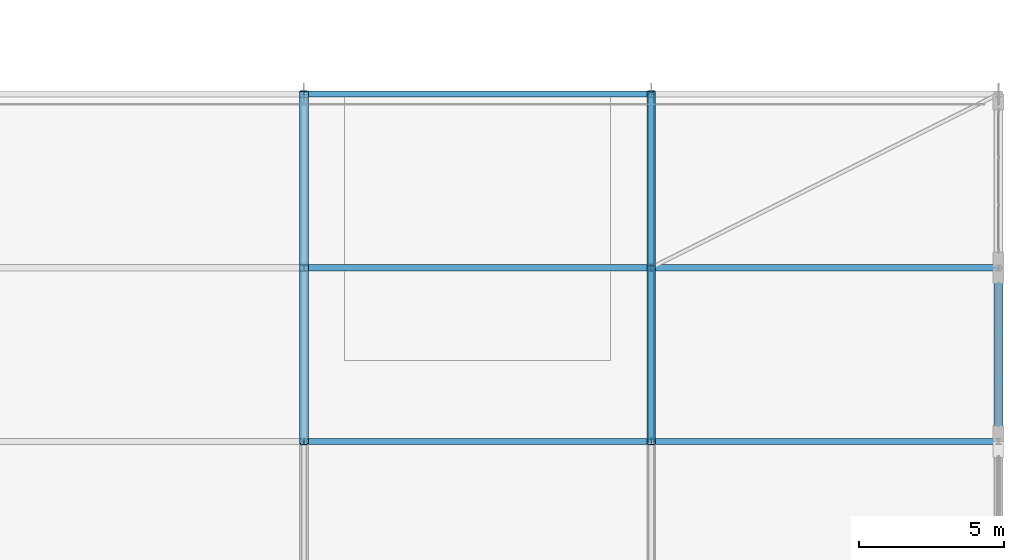
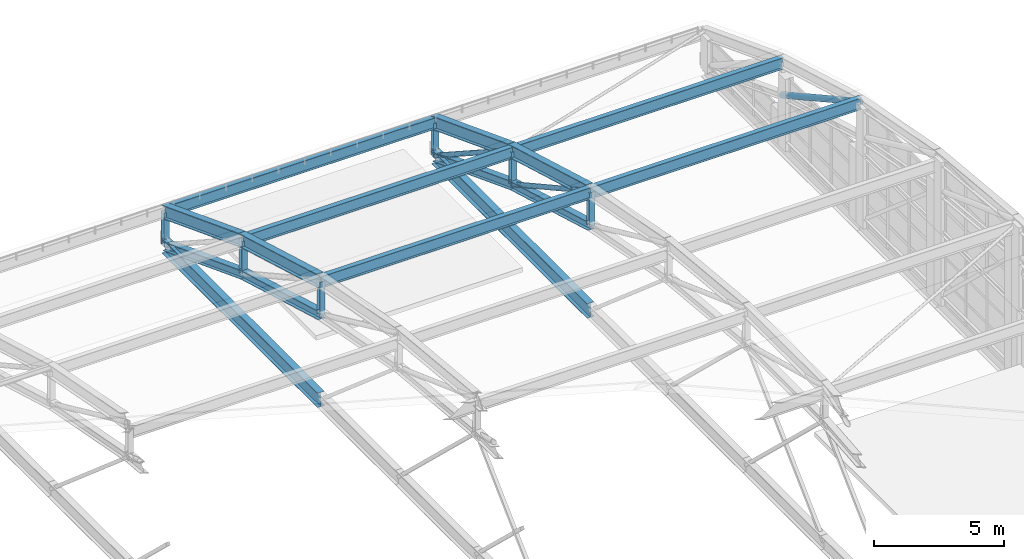
# One storey, part 155 of 204: 24 members.
"""IFC4 building model written with IfcOpenShell, lengths in metres."""

from ifc_helpers import new_model, si_unit, direction, frame, origin, origin_2d, place, context, subcontext, project, spatial, hollow_circle, i_section, extrude, material, material_profile, profile_set, type_object, element, save


model = new_model("IFC4")

# Units and contexts
model_context = context("Model", 3, precision=1e-05, world=origin(), true_north=direction((0.0, 1.0)))
body_context = subcontext(model_context, "Body", "Model", "MODEL_VIEW")
ifc_project = project(units=[si_unit("LENGTHUNIT", "METRE"), si_unit("AREAUNIT", "SQUARE_METRE"), si_unit("VOLUMEUNIT", "CUBIC_METRE"), si_unit("PLANEANGLEUNIT", "RADIAN"), si_unit("MASSUNIT", "GRAM", prefix="KILO")], contexts=[model_context])

# Site, building, storey
site_placement = place(None, origin())
site = spatial("IfcSite", under=ifc_project, at=site_placement, CompositionType="ELEMENT")
building_placement = place(site_placement, origin())
building = spatial("IfcBuilding", under=site, at=building_placement, Name="Zilviju Railside Exhibition Hall", CompositionType="ELEMENT")
storey_placement = place(building_placement, frame((0.0, 0.0, 21.0)))
storey = spatial("IfcBuildingStorey", under=building, at=storey_placement, Name="RF", CompositionType="ELEMENT", Elevation=21.0)

# Members
ifc_material_1 = material(Name="Steel S355J2", Category="steel")
ifc_material_profile_1 = material_profile(ifc_material_1, hollow_circle(Radius=0.109619140625, WallThickness=0.010009765625, at=origin_2d()), Name="CHS 219.1x10.0")
ifc_profile_set_1 = profile_set([ifc_material_profile_1], Name="Steel S355J2")
member_type_1 = type_object("IfcMemberType", Name="TR-BR-CHS219", PredefinedType="BRACE", material=ifc_profile_set_1)
member_1_placement = place(storey_placement, frame((204.0, 126.0, 2.009765625), z_axis=(0.0, 0.8750828143, -0.483973210122), x_axis=(-1.0, 0.0, 0.0)))
element("IfcMember", 1, at=member_1_placement, inside=storey, type_object=member_type_1, Name="V2 Parabolic Arch Web Diagonal X=204.0 P8", PredefinedType="BRACE", context=body_context, shape_type="SweptSolid", body=[
    extrude(hollow_circle(Radius=0.109619140625, WallThickness=0.010009765625, at=origin_2d()), origin(), (0.0, 0.0, 1.0), 6.8564453125),
])
member_2_placement = place(storey_placement, frame((204.0, 132.0, 0.291259765625), z_axis=(0.0, 0.838995406637, -0.544138500423), x_axis=(-1.0, 0.0, 0.0)))
element("IfcMember", 2, at=member_2_placement, inside=storey, type_object=member_type_1, Name="V2 Parabolic Arch Web Diagonal X=204.0 P9", PredefinedType="BRACE", context=body_context, shape_type="SweptSolid", body=[
    extrude(hollow_circle(Radius=0.109619140625, WallThickness=0.010009765625, at=origin_2d()), origin(), (0.0, 0.0, 1.0), 7.1513671875),
])
ifc_material_2 = material(Name="Steel S355ML", Category="steel")
ifc_material_profile_2 = material_profile(ifc_material_2, hollow_circle(Radius=0.136474609375, WallThickness=0.012451171875, at=origin_2d()), Name="CHS 273.0x12.5")
ifc_profile_set_2 = profile_set([ifc_material_profile_2], Name="Steel S355ML")
member_type_2 = type_object("IfcMemberType", Name="TR-BR-CHS273", PredefinedType="BRACE", material=ifc_profile_set_2)
member_3_placement = place(storey_placement, frame((216.0, 126.0, 2.009765625), z_axis=(0.0, 0.8750828143, -0.483973210122), x_axis=(-1.0, 0.0, 0.0)))
element("IfcMember", 3, at=member_3_placement, inside=storey, type_object=member_type_2, Name="V2 Parabolic Arch Web Diagonal X=216.0 P8", PredefinedType="BRACE", context=body_context, shape_type="SweptSolid", body=[
    extrude(hollow_circle(Radius=0.136474609375, WallThickness=0.012451171875, at=origin_2d()), origin(), (0.0, 0.0, 1.0), 6.8564453125),
])
ifc_material_profile_3 = material_profile(ifc_material_1, i_section(OverallWidth=0.300048828125, OverallDepth=0.39990234375, WebThickness=0.013427734375, FlangeThickness=0.02392578125, at=origin_2d()), Name="HEB 400")
ifc_profile_set_3 = profile_set([ifc_material_profile_3], Name="Steel S355J2")
member_type_3 = type_object("IfcMemberType", Name="TR-CH-HEB400", PredefinedType="CHORD", material=ifc_profile_set_3)
member_4_placement = place(storey_placement, frame((192.0, 126.0, 0.409912109375), z_axis=(0.0, 0.961345133658, -0.275346207512), x_axis=(-1.0, 0.0, 0.0)))
element("IfcMember", 4, at=member_4_placement, inside=storey, type_object=member_type_3, Name="V2 Parabolic Arch Bottom Chord X=192.0 P8", PredefinedType="CHORD", context=body_context, shape_type="SweptSolid", body=[
    extrude(i_section(OverallWidth=0.300048828125, OverallDepth=0.39990234375, WebThickness=0.013427734375, FlangeThickness=0.02392578125, at=origin_2d()), origin(), (0.0, 0.0, 1.0), 6.2412109375),
])
member_5_placement = place(storey_placement, frame((192.0, 132.0, -1.30859375), z_axis=(0.0, 0.934187521086, -0.35678239229), x_axis=(-1.0, 0.0, 0.0)))
element("IfcMember", 5, at=member_5_placement, inside=storey, type_object=member_type_3, Name="V2 Parabolic Arch Bottom Chord X=192.0 P9", PredefinedType="CHORD", context=body_context, shape_type="SweptSolid", body=[
    extrude(i_section(OverallWidth=0.300048828125, OverallDepth=0.39990234375, WebThickness=0.013427734375, FlangeThickness=0.02392578125, at=origin_2d()), origin(), (0.0, 0.0, 1.0), 6.422607421875),
])
member_6_placement = place(storey_placement, frame((204.0, 126.0, 0.409912109375), z_axis=(0.0, 0.961345133658, -0.275346207512), x_axis=(-1.0, 0.0, 0.0)))
element("IfcMember", 6, at=member_6_placement, inside=storey, type_object=member_type_3, Name="V2 Parabolic Arch Bottom Chord X=204.0 P8", PredefinedType="CHORD", context=body_context, shape_type="SweptSolid", body=[
    extrude(i_section(OverallWidth=0.300048828125, OverallDepth=0.39990234375, WebThickness=0.013427734375, FlangeThickness=0.02392578125, at=origin_2d()), origin(), (0.0, 0.0, 1.0), 6.2412109375),
])
member_7_placement = place(storey_placement, frame((204.0, 132.0, -1.30859375), z_axis=(0.0, 0.934187521086, -0.35678239229), x_axis=(-1.0, 0.0, 0.0)))
element("IfcMember", 7, at=member_7_placement, inside=storey, type_object=member_type_3, Name="V2 Parabolic Arch Bottom Chord X=204.0 P9", PredefinedType="CHORD", context=body_context, shape_type="SweptSolid", body=[
    extrude(i_section(OverallWidth=0.300048828125, OverallDepth=0.39990234375, WebThickness=0.013427734375, FlangeThickness=0.02392578125, at=origin_2d()), origin(), (0.0, 0.0, 1.0), 6.422607421875),
])
ifc_material_profile_4 = material_profile(ifc_material_1, i_section(OverallWidth=0.300048828125, OverallDepth=0.60009765625, WebThickness=0.015380859375, FlangeThickness=0.030029296875, at=origin_2d()), Name="HEB 600")
ifc_profile_set_4 = profile_set([ifc_material_profile_4], Name="Steel S355J2")
member_type_4 = type_object("IfcMemberType", Name="TR-CH-HEB600", PredefinedType="CHORD", material=ifc_profile_set_4)
member_8_placement = place(storey_placement, frame((192.0, 126.0, 2.009765625), z_axis=(0.0, 0.961345133658, -0.275346207512), x_axis=(-1.0, 0.0, 0.0)))
element("IfcMember", 8, at=member_8_placement, inside=storey, type_object=member_type_4, Name="V2 Parabolic Arch Top Chord X=192.0 P8", PredefinedType="CHORD", context=body_context, shape_type="SweptSolid", body=[
    extrude(i_section(OverallWidth=0.300048828125, OverallDepth=0.60009765625, WebThickness=0.015380859375, FlangeThickness=0.030029296875, at=origin_2d()), origin(), (0.0, 0.0, 1.0), 6.2412109375),
])
member_9_placement = place(storey_placement, frame((192.0, 132.0, 0.291259765625), z_axis=(0.0, 0.934200190194, -0.356749218138), x_axis=(-1.0, 0.0, 0.0)))
element("IfcMember", 9, at=member_9_placement, inside=storey, type_object=member_type_4, Name="V2 Parabolic Arch Top Chord X=192.0 P9", PredefinedType="CHORD", context=body_context, shape_type="SweptSolid", body=[
    extrude(i_section(OverallWidth=0.300048828125, OverallDepth=0.60009765625, WebThickness=0.015380859375, FlangeThickness=0.030029296875, at=origin_2d()), origin(), (0.0, 0.0, 1.0), 6.422607421875),
])
member_10_placement = place(storey_placement, frame((204.0, 126.0, 2.009765625), z_axis=(0.0, 0.961345133658, -0.275346207512), x_axis=(-1.0, 0.0, 0.0)))
element("IfcMember", 10, at=member_10_placement, inside=storey, type_object=member_type_4, Name="V2 Parabolic Arch Top Chord X=204.0 P8", PredefinedType="CHORD", context=body_context, shape_type="SweptSolid", body=[
    extrude(i_section(OverallWidth=0.300048828125, OverallDepth=0.60009765625, WebThickness=0.015380859375, FlangeThickness=0.030029296875, at=origin_2d()), origin(), (0.0, 0.0, 1.0), 6.2412109375),
])
member_11_placement = place(storey_placement, frame((204.0, 132.0, 0.291259765625), z_axis=(0.0, 0.934200190194, -0.356749218138), x_axis=(-1.0, 0.0, 0.0)))
element("IfcMember", 11, at=member_11_placement, inside=storey, type_object=member_type_4, Name="V2 Parabolic Arch Top Chord X=204.0 P9", PredefinedType="CHORD", context=body_context, shape_type="SweptSolid", body=[
    extrude(i_section(OverallWidth=0.300048828125, OverallDepth=0.60009765625, WebThickness=0.015380859375, FlangeThickness=0.030029296875, at=origin_2d()), origin(), (0.0, 0.0, 1.0), 6.422607421875),
])
ifc_material_profile_5 = material_profile(ifc_material_1, i_section(OverallWidth=0.239990234375, OverallDepth=0.22998046875, WebThickness=0.007568359375, FlangeThickness=0.011962890625, at=origin_2d()), Name="HEA 240")
ifc_profile_set_5 = profile_set([ifc_material_profile_5], Name="Steel S355J2")
member_type_5 = type_object("IfcMemberType", Name="TR-POST-HEA240", PredefinedType="POST", material=ifc_profile_set_5)
for number, where, z_axis, x_axis, name in (
    (12, (192.0, 126.0, 0.409912109375), (0.0, 0.0, 1.0), (1.0, 0.0, 0.0), "V2 Parabolic Arch Web Post X=192.0 N7"),
    (13, (192.0, 132.0, -1.30859375), (0.0, 0.0, 1.0), (1.0, 0.0, 0.0), "V2 Parabolic Arch Web Post X=192.0 N8"),
):
    element("IfcMember", number, at=place(storey_placement, frame(where, z_axis=z_axis, x_axis=x_axis)), inside=storey, type_object=member_type_5, Name=name, PredefinedType="POST", context=body_context, shape_type="SweptSolid", body=[
        extrude(i_section(OverallWidth=0.239990234375, OverallDepth=0.22998046875, WebThickness=0.007568359375, FlangeThickness=0.011962890625, at=origin_2d()), origin(), (0.0, 0.0, 1.0), 1.599853515625),
    ])
member_12_placement = place(storey_placement, frame((192.0, 138.0, -3.60009765625), z_axis=(0.0, 0.0, 1.0), x_axis=(1.0, 0.0, 0.0)))
element("IfcMember", 14, at=member_12_placement, inside=storey, type_object=member_type_5, Name="V2 Parabolic Arch Web Post X=192.0 N9", PredefinedType="POST", context=body_context, shape_type="SweptSolid", body=[
    extrude(i_section(OverallWidth=0.239990234375, OverallDepth=0.22998046875, WebThickness=0.007568359375, FlangeThickness=0.011962890625, at=origin_2d()), origin(), (0.0, 0.0, 1.0), 1.60009765625),
])
for number, where, z_axis, x_axis, name in (
    (15, (204.0, 126.0, 0.409912109375), (0.0, 0.0, 1.0), (1.0, 0.0, 0.0), "V2 Parabolic Arch Web Post X=204.0 N7"),
    (16, (204.0, 132.0, -1.30859375), (0.0, 0.0, 1.0), (1.0, 0.0, 0.0), "V2 Parabolic Arch Web Post X=204.0 N8"),
):
    element("IfcMember", number, at=place(storey_placement, frame(where, z_axis=z_axis, x_axis=x_axis)), inside=storey, type_object=member_type_5, Name=name, PredefinedType="POST", context=body_context, shape_type="SweptSolid", body=[
        extrude(i_section(OverallWidth=0.239990234375, OverallDepth=0.22998046875, WebThickness=0.007568359375, FlangeThickness=0.011962890625, at=origin_2d()), origin(), (0.0, 0.0, 1.0), 1.599853515625),
    ])
member_13_placement = place(storey_placement, frame((204.0, 138.0, -3.60009765625), z_axis=(0.0, 0.0, 1.0), x_axis=(1.0, 0.0, 0.0)))
element("IfcMember", 17, at=member_13_placement, inside=storey, type_object=member_type_5, Name="V2 Parabolic Arch Web Post X=204.0 N9", PredefinedType="POST", context=body_context, shape_type="SweptSolid", body=[
    extrude(i_section(OverallWidth=0.239990234375, OverallDepth=0.22998046875, WebThickness=0.007568359375, FlangeThickness=0.011962890625, at=origin_2d()), origin(), (0.0, 0.0, 1.0), 1.60009765625),
])
ifc_material_profile_6 = material_profile(ifc_material_1, i_section(OverallWidth=0.2099609375, OverallDepth=0.550048828125, WebThickness=0.010986328125, FlangeThickness=0.01708984375, at=origin_2d()), Name="IPE 550")
ifc_profile_set_6 = profile_set([ifc_material_profile_6], Name="Steel S355J2")
member_type_6 = type_object("IfcMemberType", Name="TR-PUR-IPE550", PredefinedType="PURLIN", material=ifc_profile_set_6)
for number, where, z_axis, x_axis, name in (
    (18, (192.0, 126.0, 1.97509765625), (1.0, 0.0, 0.0), (0.0, 1.0, 0.0), "V2 Barrel Vault Roof Purlin Y=126.0 (192.0..204.0)"),
    (19, (192.0, 132.0, 0.239501953125), (1.0, 0.0, 0.0), (0.0, 1.0, 0.0), "V2 Barrel Vault Roof Purlin Y=132.0 (192.0..204.0)"),
    (20, (192.0, 138.0, -2.011962890625), (1.0, 0.0, 0.0), (0.0, 1.0, 0.0), "V2 Barrel Vault Roof Purlin Y=138.0 (192.0..204.0)"),
    (21, (204.0, 126.0, 1.97509765625), (1.0, 0.0, 0.0), (0.0, 1.0, 0.0), "V2 Barrel Vault Roof Purlin Y=126.0 (204.0..216.0)"),
    (22, (204.0, 132.0, 0.239501953125), (1.0, 0.0, 0.0), (0.0, 1.0, 0.0), "V2 Barrel Vault Roof Purlin Y=132.0 (204.0..216.0)"),
):
    element("IfcMember", number, at=place(storey_placement, frame(where, z_axis=z_axis, x_axis=x_axis)), inside=storey, type_object=member_type_6, Name=name, PredefinedType="PURLIN", context=body_context, shape_type="SweptSolid", body=[
        extrude(i_section(OverallWidth=0.2099609375, OverallDepth=0.550048828125, WebThickness=0.010986328125, FlangeThickness=0.01708984375, at=origin_2d()), origin(), (0.0, 0.0, 1.0), 12.0),
    ])
ifc_material_profile_7 = material_profile(ifc_material_1, i_section(OverallWidth=0.300048828125, OverallDepth=0.699951171875, WebThickness=0.01708984375, FlangeThickness=0.031982421875, at=origin_2d()), Name="HEB 700")
ifc_profile_set_7 = profile_set([ifc_material_profile_7], Name="Steel S355J2")
member_type_7 = type_object("IfcMemberType", Name="TR-TIE-HEB700", PredefinedType="CHORD", material=ifc_profile_set_7)
for number, where, z_axis, x_axis, name in (
    (23, (192.0, 126.0, -3.60009765625), (0.0, 1.0, 0.0), (-1.0, 0.0, 0.0), "V2 Arch Tie Member X=192.0"),
    (24, (204.0, 126.0, -3.60009765625), (0.0, 1.0, 0.0), (-1.0, 0.0, 0.0), "V2 Arch Tie Member X=204.0"),
):
    element("IfcMember", number, at=place(storey_placement, frame(where, z_axis=z_axis, x_axis=x_axis)), inside=storey, type_object=member_type_7, Name=name, PredefinedType="CHORD", context=body_context, shape_type="SweptSolid", body=[
        extrude(i_section(OverallWidth=0.300048828125, OverallDepth=0.699951171875, WebThickness=0.01708984375, FlangeThickness=0.031982421875, at=origin_2d()), origin(), (0.0, 0.0, 1.0), 12.0),
    ])

save(model, "model.ifc")
